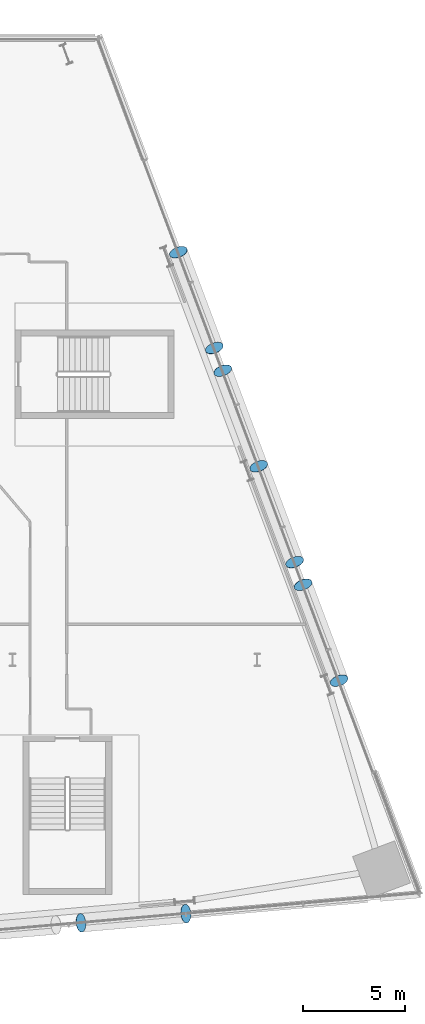
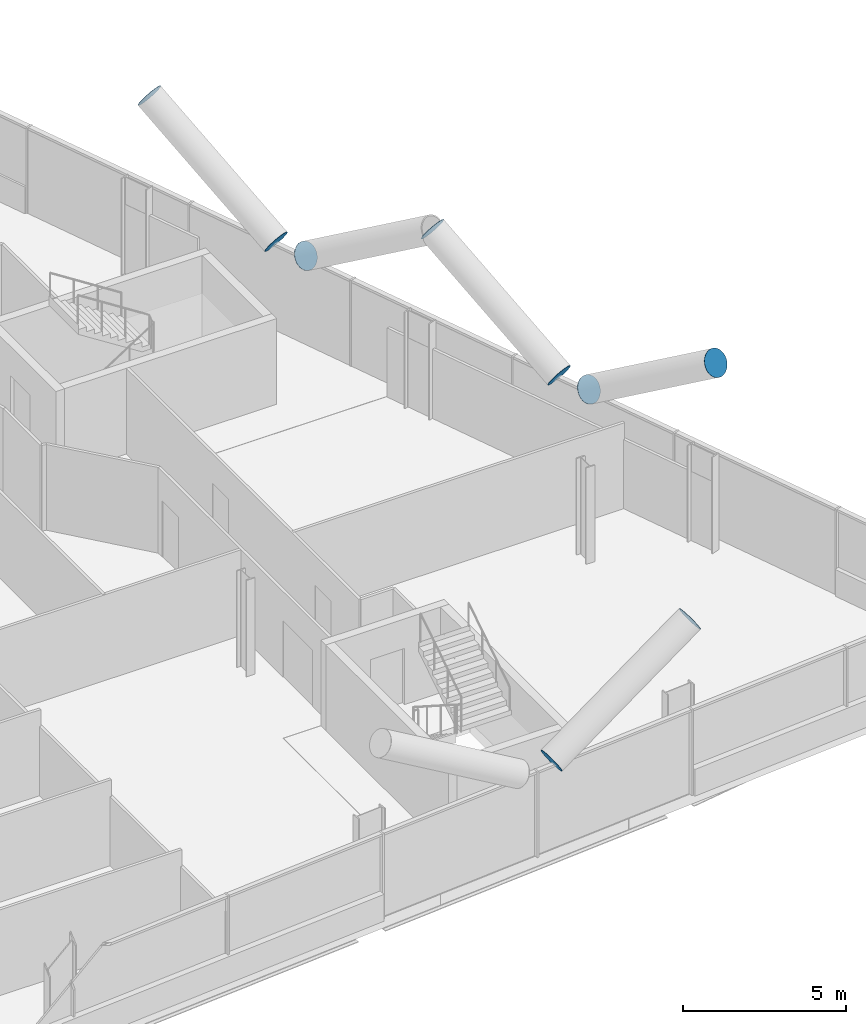
# One storey, part 23 of 27: 9 discrete accessories.
"""IFC4 building model written with IfcOpenShell, lengths in metres."""

from ifc_helpers import new_model, si_unit, direction, frame, origin, origin_2d, place, context, subcontext, project, spatial, circle, extrude, material, material_profile, profile_set, type_object, element, save


model = new_model("IFC4")

# Units and contexts
model_context = context("Model", 3, precision=1e-05, world=origin(), true_north=direction((0.0, 1.0)))
body_context = subcontext(model_context, "Body", "Model", "MODEL_VIEW")
ifc_project = project(units=[si_unit("LENGTHUNIT", "METRE"), si_unit("AREAUNIT", "SQUARE_METRE"), si_unit("VOLUMEUNIT", "CUBIC_METRE"), si_unit("PLANEANGLEUNIT", "RADIAN"), si_unit("MASSUNIT", "GRAM", prefix="KILO")], contexts=[model_context])

# Site, building, storey
site_placement = place(None, origin())
site = spatial("IfcSite", under=ifc_project, at=site_placement, CompositionType="ELEMENT")
building_placement = place(site_placement, origin())
building = spatial("IfcBuilding", under=site, at=building_placement, Name="Wharfspan Tower", CompositionType="ELEMENT")
storey_placement = place(building_placement, frame((0.0, 0.0, 77.5)))
storey = spatial("IfcBuildingStorey", under=building, at=storey_placement, Name="L16", CompositionType="ELEMENT", Elevation=77.5)

# Discrete accessories
ifc_material = material(Name="Steel S460NH", Category="steel")
ifc_material_profile = material_profile(ifc_material, circle(Radius=0.457031, at=origin_2d()))
ifc_profile_set = profile_set([ifc_material_profile], Name="Steel S460NH")
discrete_accessory_type = type_object("IfcDiscreteAccessoryType", Name="End plate CHS 914x40", PredefinedType="BRACKET", material=ifc_profile_set)
for number, where, z_axis, x_axis, name in (
    (1, (75.352783, -1.401123, 3.280518), (0.855186, 0.073302, 0.513112), (-0.085402, 0.996345, 1e-06), "End plate CHS 914x40"),
    (2, (80.495117, -0.951416, 6.5), (0.844416, 0.072379, 0.530776), (-0.085402, 0.99635, 0.0), "End plate CHS 914x40"),
    (3, (85.835938, 16.280762, 3.2771), (-0.295241, 0.787309, 0.541275), (-0.936333, -0.351125, 0.0), "End plate CHS 914x40"),
    (4, (84.073486, 20.980713, 6.5), (-0.295241, 0.787309, 0.541275), (-0.936333, -0.351125, 0.0), "End plate CHS 914x40"),
    (5, (86.248535, 15.180664, 3.2771), (0.295241, -0.787309, 0.541275), (0.936333, 0.351125, 0.0), "End plate CHS 914x40"),
    (6, (88.010986, 10.480713, 6.5), (0.295241, -0.787309, 0.541275), (0.936333, 0.351125, 0.0), "End plate CHS 914x40"),
    (7, (81.898438, 26.780762, 3.2771), (-0.295241, 0.787309, 0.541275), (-0.936333, -0.351125, 0.0), "End plate CHS 914x40"),
    (8, (80.135986, 31.480713, 6.5), (-0.295241, 0.787309, 0.541275), (-0.936333, -0.351125, 0.0), "End plate CHS 914x40"),
    (9, (82.311035, 25.680664, 3.2771), (0.295241, -0.787309, 0.541275), (0.936333, 0.351125, 0.0), "End plate CHS 914x40"),
):
    element("IfcDiscreteAccessory", number, at=place(storey_placement, frame(where, z_axis=z_axis, x_axis=x_axis)), inside=storey, type_object=discrete_accessory_type, Name=name, PredefinedType="BRACKET", context=body_context, shape_type="SweptSolid", body=[
        extrude(circle(Radius=0.457031, at=origin_2d()), origin(), (0.0, 0.0, 1.0), 0.01001),
    ])

save(model, "model.ifc")
